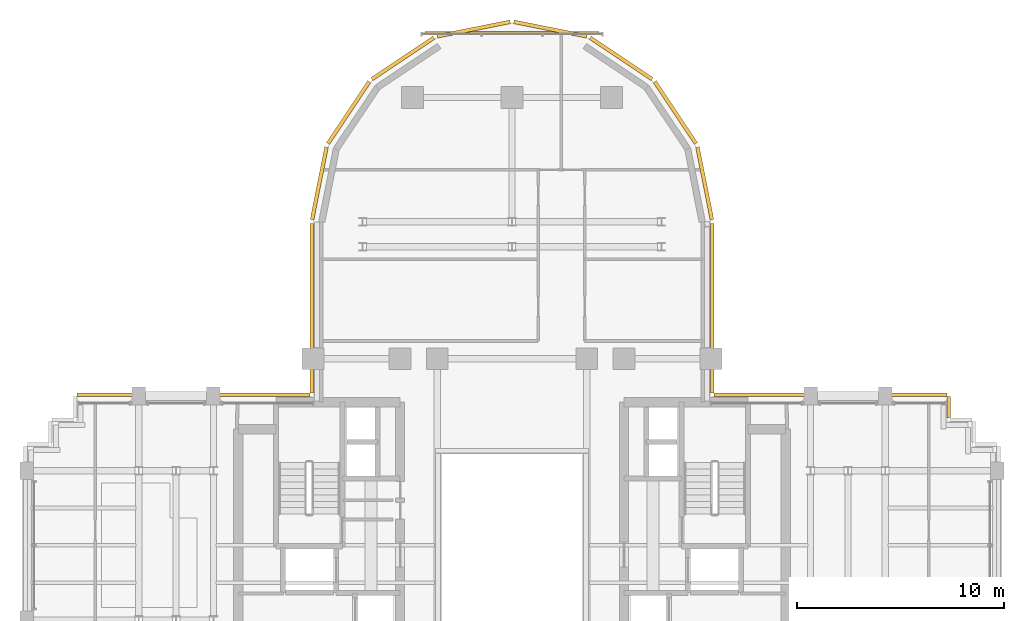
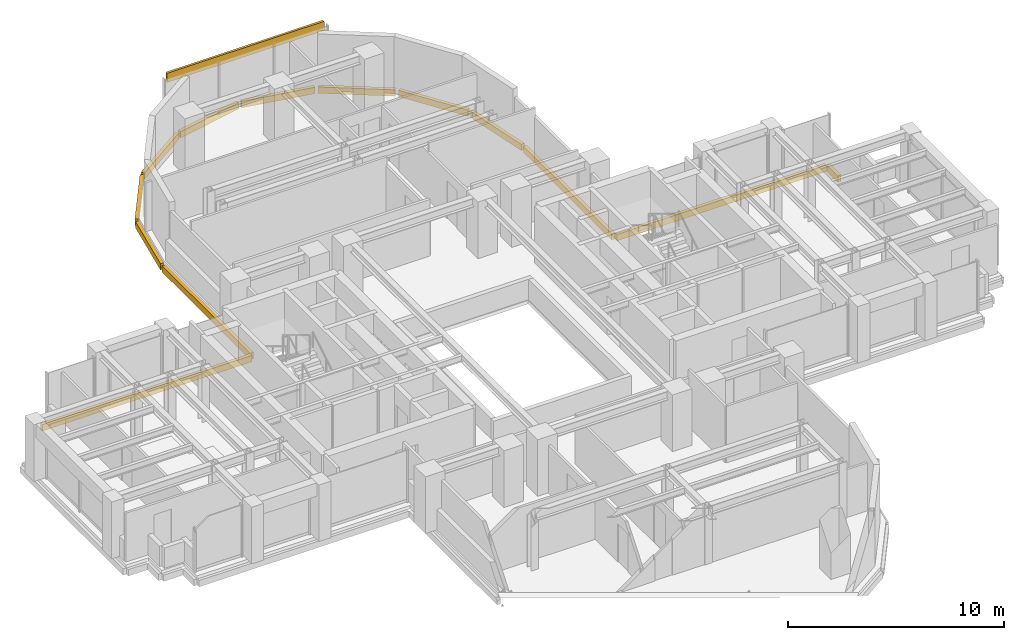
# One storey, part 14 of 14: 14 coverings.
"""IFC4 building model written with IfcOpenShell, lengths in metres."""

from ifc_helpers import new_model, si_unit, direction, frame, origin, origin_2d, place, context, subcontext, project, spatial, rectangle, extrude, source, transform, mapped, material, layer, layer_set, type_object, element, save


model = new_model("IFC4")

# Units and contexts
model_context = context("Model", 3, precision=1e-05, world=origin(), true_north=direction((0.0, 1.0)))
body_context = subcontext(model_context, "Body", "Model", "MODEL_VIEW")
ifc_project = project(units=[si_unit("LENGTHUNIT", "METRE"), si_unit("AREAUNIT", "SQUARE_METRE"), si_unit("VOLUMEUNIT", "CUBIC_METRE"), si_unit("PLANEANGLEUNIT", "RADIAN"), si_unit("MASSUNIT", "GRAM", prefix="KILO")], contexts=[model_context])

# Site, building, storey
site_placement = place(None, origin())
site = spatial("IfcSite", under=ifc_project, at=site_placement, CompositionType="ELEMENT")
building_placement = place(site_placement, origin())
building = spatial("IfcBuilding", under=site, at=building_placement, Name="Keilestroom Media Tower", CompositionType="ELEMENT")
storey_placement = place(building_placement, frame((0.0, 0.0, 110.800048828125)))
storey = spatial("IfcBuildingStorey", under=building, at=storey_placement, Name="L29", CompositionType="ELEMENT", Elevation=110.800048828125)

# Coverings
ifc_material = material(Name="Precast concrete C40/50", Category="concrete")
ifc_layer = layer(ifc_material, 0.1201171875)
ifc_layer_set = layer_set([ifc_layer], Name="Precast concrete C40/50")
covering_type = type_object("IfcCoveringType", Name="Exterior-Precast-Spandrel-Cladding-Panel-120", PredefinedType="CLADDING", material=ifc_layer_set)
shared_shape_1 = source(origin(), body_context, "Body", "SweptSolid", [
    extrude(rectangle(XDim=8.39990234375, YDim=0.1201171875, at=origin_2d()), origin(), (0.0, 0.0, 1.0), 0.52001953125),
])
covering_1_placement = place(storey_placement, frame((0.0, 24.719970703125, 2.68994140625), z_axis=(0.0, 0.0, 1.0), x_axis=(1.0, 0.0, 0.0)))
element("IfcCovering", 1, at=covering_1_placement, inside=storey, type_object=covering_type, Name="L29 Precast Spandrel Cladding N", PredefinedType="CLADDING", context=body_context, shape_type="MappedRepresentation", body=[
    mapped(shared_shape_1, transform((0.0, 0.0, 0.0), x_axis=(1.0, 0.0, 0.0), y_axis=(0.0, 1.0, 0.0), z_axis=(0.0, 0.0, 1.0), scale=1.0)),
])
shared_shape_2 = source(origin(), body_context, "Body", "SweptSolid", [
    extrude(rectangle(XDim=1.02001953125, YDim=0.179931640625, at=origin_2d()), origin(), (0.0, 0.0, 1.0), 0.360107421875),
])
covering_2_placement = place(storey_placement, frame((21.06005859375, 6.659912109375, -0.5400390625), z_axis=(0.0, 0.0, 1.0), x_axis=(0.0, -1.0, 0.0)))
element("IfcCovering", 2, at=covering_2_placement, inside=storey, type_object=covering_type, Name="L29 Precast Slab-Edge Fascia Cornice 38", PredefinedType="CLADDING", context=body_context, shape_type="MappedRepresentation", body=[
    mapped(shared_shape_2, transform((0.0, 0.0, 0.0), x_axis=(1.0, 0.0, 0.0), y_axis=(0.0, 1.0, 0.0), z_axis=(0.0, 0.0, 1.0), scale=1.0)),
])
shared_shape_3 = source(origin(), body_context, "Body", "SweptSolid", [
    extrude(rectangle(XDim=8.166015625, YDim=0.179931640625, at=origin_2d()), origin(), (0.0, 0.0, 1.0), 0.360107421875),
])
for number, where, z_axis, x_axis, name in (
    (3, (-9.659912109375, 11.43310546875, -0.5400390625), (0.0, 0.0, 1.0), (0.0, 1.0, 0.0), "L29 Precast Slab-Edge Fascia Cornice 27"),
    (4, (9.659912109375, 11.43310546875, -0.5400390625), (0.0, 0.0, 1.0), (0.0, -1.0, 0.0), "L29 Precast Slab-Edge Fascia Cornice 36"),
):
    element("IfcCovering", number, at=place(storey_placement, frame(where, z_axis=z_axis, x_axis=x_axis)), inside=storey, type_object=covering_type, Name=name, PredefinedType="CLADDING", context=body_context, shape_type="MappedRepresentation", body=[
        mapped(shared_shape_3, transform((0.0, 0.0, 0.0), x_axis=(1.0, 0.0, 0.0), y_axis=(0.0, 1.0, 0.0), z_axis=(0.0, 0.0, 1.0), scale=1.0)),
    ])
shared_shape_4 = source(origin(), body_context, "Body", "SweptSolid", [
    extrude(rectangle(XDim=3.58349609375, YDim=0.179931640625, at=origin_2d()), origin(), (0.0, 0.0, 1.0), 0.360107421875),
])
for number, where, z_axis, x_axis, name in (
    (5, (-9.29296875, 17.45166015625, -0.5400390625), (0.0, 0.0, 1.0), (0.195098880975, 0.980783577882, 0.0), "L29 Precast Slab-Edge Fascia Cornice 28"),
    (6, (9.29296875, 17.45166015625, -0.5400390625), (0.0, 0.0, 1.0), (0.195098880975, -0.980783577882, 0.0), "L29 Precast Slab-Edge Fascia Cornice 35"),
):
    element("IfcCovering", number, at=place(storey_placement, frame(where, z_axis=z_axis, x_axis=x_axis)), inside=storey, type_object=covering_type, Name=name, PredefinedType="CLADDING", context=body_context, shape_type="MappedRepresentation", body=[
        mapped(shared_shape_4, transform((0.0, 0.0, 0.0), x_axis=(1.0, 0.0, 0.0), y_axis=(0.0, 1.0, 0.0), z_axis=(0.0, 0.0, 1.0), scale=1.0)),
    ])
shared_shape_5 = source(origin(), body_context, "Body", "SweptSolid", [
    extrude(rectangle(XDim=3.589599609375, YDim=0.179931640625, at=origin_2d()), origin(), (0.0, 0.0, 1.0), 0.360107421875),
])
for number, where, z_axis, x_axis, name in (
    (7, (-7.878662109375, 20.8642578125, -0.5400390625), (0.0, 0.0, 1.0), (0.555574586577, 0.831466703332, 0.0), "L29 Precast Slab-Edge Fascia Cornice 29"),
    (8, (-5.264404296875, 23.478515625, -0.5400390625), (0.0, 0.0, 1.0), (0.831466703332, 0.555574586577, 0.0), "L29 Precast Slab-Edge Fascia Cornice 30"),
    (9, (-1.8486328125, 24.893310546875, -0.5400390625), (0.0, 0.0, 1.0), (0.980783577882, 0.195098880975, 0.0), "L29 Precast Slab-Edge Fascia Cornice 31"),
    (10, (1.8486328125, 24.893310546875, -0.5400390625), (0.0, 0.0, 1.0), (0.980783577882, -0.195098880975, 0.0), "L29 Precast Slab-Edge Fascia Cornice 32"),
    (11, (5.264404296875, 23.478515625, -0.5400390625), (0.0, 0.0, 1.0), (0.831466703332, -0.555574586577, 0.0), "L29 Precast Slab-Edge Fascia Cornice 33"),
    (12, (7.878662109375, 20.8642578125, -0.5400390625), (0.0, 0.0, 1.0), (0.555574586577, -0.831466703332, 0.0), "L29 Precast Slab-Edge Fascia Cornice 34"),
):
    element("IfcCovering", number, at=place(storey_placement, frame(where, z_axis=z_axis, x_axis=x_axis)), inside=storey, type_object=covering_type, Name=name, PredefinedType="CLADDING", context=body_context, shape_type="MappedRepresentation", body=[
        mapped(shared_shape_5, transform((0.0, 0.0, 0.0), x_axis=(1.0, 0.0, 0.0), y_axis=(0.0, 1.0, 0.0), z_axis=(0.0, 0.0, 1.0), scale=1.0)),
    ])
shared_shape_6 = source(origin(), body_context, "Body", "SweptSolid", [
    extrude(rectangle(XDim=11.219970703125, YDim=0.179931640625, at=origin_2d()), origin(), (0.0, 0.0, 1.0), 0.360107421875),
])
for number, where, z_axis, x_axis, name in (
    (13, (-15.360107421875, 7.260009765625, -0.5400390625), (0.0, 0.0, 1.0), (1.0, 0.0, 0.0), "L29 Precast Slab-Edge Fascia Cornice 26"),
    (14, (15.360107421875, 7.260009765625, -0.5400390625), (0.0, 0.0, 1.0), (1.0, 0.0, 0.0), "L29 Precast Slab-Edge Fascia Cornice 37"),
):
    element("IfcCovering", number, at=place(storey_placement, frame(where, z_axis=z_axis, x_axis=x_axis)), inside=storey, type_object=covering_type, Name=name, PredefinedType="CLADDING", context=body_context, shape_type="MappedRepresentation", body=[
        mapped(shared_shape_6, transform((0.0, 0.0, 0.0), x_axis=(1.0, 0.0, 0.0), y_axis=(0.0, 1.0, 0.0), z_axis=(0.0, 0.0, 1.0), scale=1.0)),
    ])

save(model, "model.ifc")
